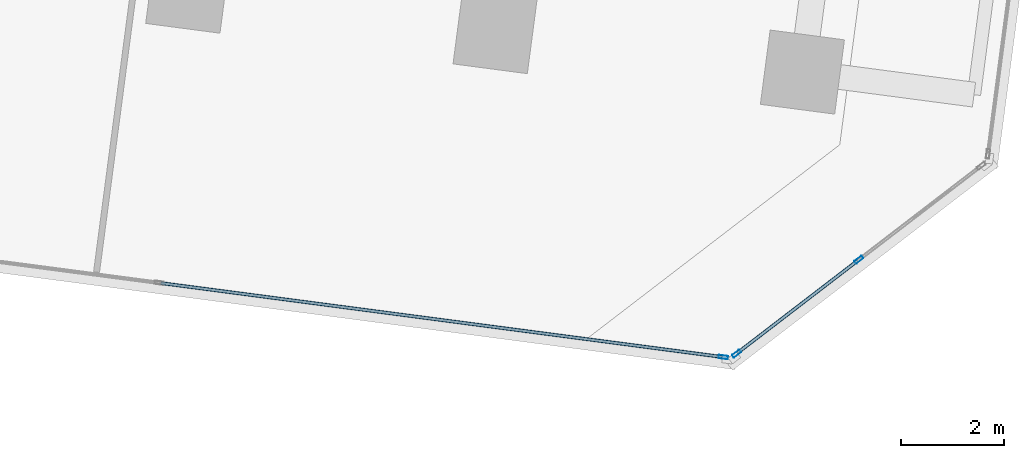
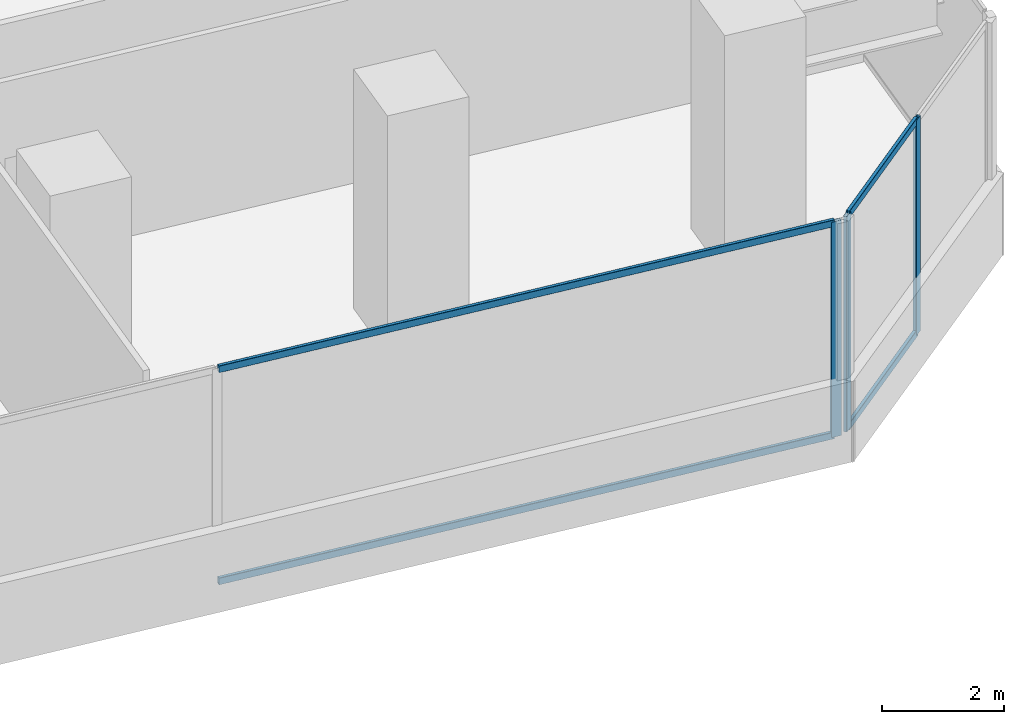
# One storey, part 10 of 24: 7 members, 2 elements without a shape of their own.
"""IFC4 building model written with IfcOpenShell, lengths in metres."""

from ifc_helpers import new_model, si_unit, direction, frame, origin, origin_2d, place, context, subcontext, project, spatial, hollow_rectangle, extrude, source, transform, mapped, material, material_profile, profile_set, type_object, element, aggregate, save


model = new_model("IFC4")

# Units and contexts
model_context = context("Model", 3, precision=1e-05, world=origin(), true_north=direction((0.0, 1.0)))
body_context = subcontext(model_context, "Body", "Model", "MODEL_VIEW")
ifc_project = project(units=[si_unit("LENGTHUNIT", "METRE"), si_unit("AREAUNIT", "SQUARE_METRE"), si_unit("VOLUMEUNIT", "CUBIC_METRE"), si_unit("PLANEANGLEUNIT", "RADIAN"), si_unit("MASSUNIT", "GRAM", prefix="KILO")], contexts=[model_context])

# Site, building, storey
site_placement = place(None, origin())
site = spatial("IfcSite", under=ifc_project, at=site_placement, CompositionType="ELEMENT")
building_placement = place(site_placement, origin())
building = spatial("IfcBuilding", under=site, at=building_placement, Name="Torre Montelarca", CompositionType="ELEMENT")
storey_placement = place(building_placement, frame((0.0, 0.0, 61.60009765625)))
storey = spatial("IfcBuildingStorey", under=building, at=storey_placement, Name="L13", CompositionType="ELEMENT", Elevation=61.60009765625)

# Curtain wall, members
ifc_material_1 = material(Name="Insulated low-E laminated glass", Category="glass")
curtain_wall_type = type_object("IfcCurtainWallType", Name="CW-SYS-Z1", PredefinedType="USERDEFINED", material=ifc_material_1)
curtain_wall_1_placement = place(storey_placement, origin())
curtain_wall_1 = element("IfcCurtainWall", 1, at=curtain_wall_1_placement, inside=storey, type_object=curtain_wall_type, Name="L13 Curtain Wall Run CW-T3-L13-E04-B1", ObjectType="UNITISED GLAZING", PredefinedType="USERDEFINED")
ifc_material_2 = material(Name="Anodised aluminium AA 6063-T6", Category="aluminium")
ifc_material_profile_1 = material_profile(ifc_material_2, hollow_rectangle(XDim=0.06494140625, YDim=0.139892578125, WallThickness=0.00390625, InnerFilletRadius=0.00390625, OuterFilletRadius=0.008056640625, at=origin_2d()), Name="ALU65X140X4", Category="aluminium")
ifc_profile_set_1 = profile_set([ifc_material_profile_1], Name="Anodised aluminium AA 6063-T6")
member_type_1 = type_object("IfcMemberType", Name="CWT-ALU140", PredefinedType="USERDEFINED", material=ifc_profile_set_1)
shared_shape_1 = source(origin(), body_context, "Body", "SweptSolid", [
    extrude(hollow_rectangle(XDim=0.06494140625, YDim=0.139892578125, WallThickness=0.00390625, InnerFilletRadius=0.00390625, OuterFilletRadius=0.008056640625, at=origin_2d()), origin(), (0.0, 0.0, 1.0), 10.94873046875),
])
member_1_placement = place(storey_placement, frame((46.207763671875, 14.959228515625, 0.032470703125), z_axis=(0.99144640037, -0.130514501852, 0.0), x_axis=(0.130514501852, 0.99144640037, 0.0)))
member_1 = element("IfcMember", 2, at=member_1_placement, type_object=member_type_1, Name="CW transom 2.1", ObjectType="TRANSOM", PredefinedType="USERDEFINED", context=body_context, shape_type="MappedRepresentation", body=[
    mapped(shared_shape_1, transform((0.0, 0.0, 0.0), scale=1.0)),
])
member_2_placement = place(storey_placement, frame((46.207763671875, 14.959228515625, 4.287353515625), z_axis=(0.99144640037, -0.130514501852, 0.0), x_axis=(0.130514501852, 0.99144640037, 0.0)))
member_2 = element("IfcMember", 3, at=member_2_placement, type_object=member_type_1, Name="CW transom 2.2", ObjectType="TRANSOM", PredefinedType="USERDEFINED", context=body_context, shape_type="MappedRepresentation", body=[
    mapped(shared_shape_1, transform((0.0, 0.0, 0.0), scale=1.0)),
])

curtain_wall_2_placement = place(storey_placement, origin())
curtain_wall_2 = element("IfcCurtainWall", 4, at=curtain_wall_2_placement, inside=storey, type_object=curtain_wall_type, Name="L13 Curtain Wall Run CW-T3-L13-E05-B1", ObjectType="UNITISED GLAZING", PredefinedType="USERDEFINED")
shared_shape_2 = source(origin(), body_context, "Body", "SweptSolid", [
    extrude(hollow_rectangle(XDim=0.06494140625, YDim=0.139892578125, WallThickness=0.00390625, InnerFilletRadius=0.00390625, OuterFilletRadius=0.008056640625, at=origin_2d()), origin(), (0.0, 0.0, 1.0), 2.9189453125),
])
member_3_placement = place(storey_placement, frame((57.37841796875, 13.61474609375, 0.032470703125), z_axis=(0.793357237782, 0.608756349666, 0.0), x_axis=(-0.608756349666, 0.793357237782, 0.0)))
member_3 = element("IfcMember", 5, at=member_3_placement, type_object=member_type_1, Name="CW transom 1.1", ObjectType="TRANSOM", PredefinedType="USERDEFINED", context=body_context, shape_type="MappedRepresentation", body=[
    mapped(shared_shape_2, transform((0.0, 0.0, 0.0), scale=1.0)),
])
member_4_placement = place(storey_placement, frame((57.37841796875, 13.61474609375, 4.287353515625), z_axis=(0.793357237782, 0.608756349666, 0.0), x_axis=(-0.608756349666, 0.793357237782, 0.0)))
member_4 = element("IfcMember", 6, at=member_4_placement, type_object=member_type_1, Name="CW transom 1.2", ObjectType="TRANSOM", PredefinedType="USERDEFINED", context=body_context, shape_type="MappedRepresentation", body=[
    mapped(shared_shape_2, transform((0.0, 0.0, 0.0), scale=1.0)),
])

# Member
ifc_material_profile_2 = material_profile(ifc_material_2, hollow_rectangle(XDim=0.06494140625, YDim=0.179931640625, WallThickness=0.00390625, InnerFilletRadius=0.00390625, OuterFilletRadius=0.008056640625, at=origin_2d()), Name="ALU65X180X4", Category="aluminium")
ifc_profile_set_2 = profile_set([ifc_material_profile_2], Name="Anodised aluminium AA 6063-T6")
member_type_2 = type_object("IfcMemberType", Name="CWM-ALU180", PredefinedType="MULLION", material=ifc_profile_set_2)
shared_shape_3 = source(origin(), body_context, "Body", "SweptSolid", [
    extrude(hollow_rectangle(XDim=0.06494140625, YDim=0.179931640625, WallThickness=0.00390625, InnerFilletRadius=0.00390625, OuterFilletRadius=0.008056640625, at=origin_2d()), origin(), (0.0, 0.0, 1.0), 4.31982421875),
])
member_5_placement = place(storey_placement, frame((57.094970703125, 13.52587890625, 0.0), z_axis=(0.0, 0.0, 1.0), x_axis=(0.130520668339, 0.991445588591, 0.0)))
member_5 = element("IfcMember", 7, at=member_5_placement, type_object=member_type_2, Name="CW mullion 3", PredefinedType="MULLION", context=body_context, shape_type="MappedRepresentation", body=[
    mapped(shared_shape_3, transform((0.0, 0.0, 0.0), scale=1.0)),
])

aggregate(curtain_wall_1, [member_5, member_1, member_2])

member_6_placement = place(storey_placement, frame((57.352783203125, 13.594970703125, 0.0), z_axis=(0.0, 0.0, 1.0), x_axis=(-0.608764194066, 0.793351218581, 0.0)))
member_6 = element("IfcMember", 8, at=member_6_placement, type_object=member_type_2, Name="CW mullion 1", PredefinedType="MULLION", context=body_context, shape_type="MappedRepresentation", body=[
    mapped(shared_shape_3, transform((0.0, 0.0, 0.0), scale=1.0)),
])

member_7_placement = place(storey_placement, frame((59.7197265625, 15.411376953125, 0.0), z_axis=(0.0, 0.0, 1.0), x_axis=(-0.608764194066, 0.793351218581, 0.0)))
member_7 = element("IfcMember", 9, at=member_7_placement, type_object=member_type_2, Name="CW mullion 2", PredefinedType="MULLION", context=body_context, shape_type="MappedRepresentation", body=[
    mapped(shared_shape_3, transform((0.0, 0.0, 0.0), scale=1.0)),
])

aggregate(curtain_wall_2, [member_6, member_7, member_3, member_4])

save(model, "model.ifc")
